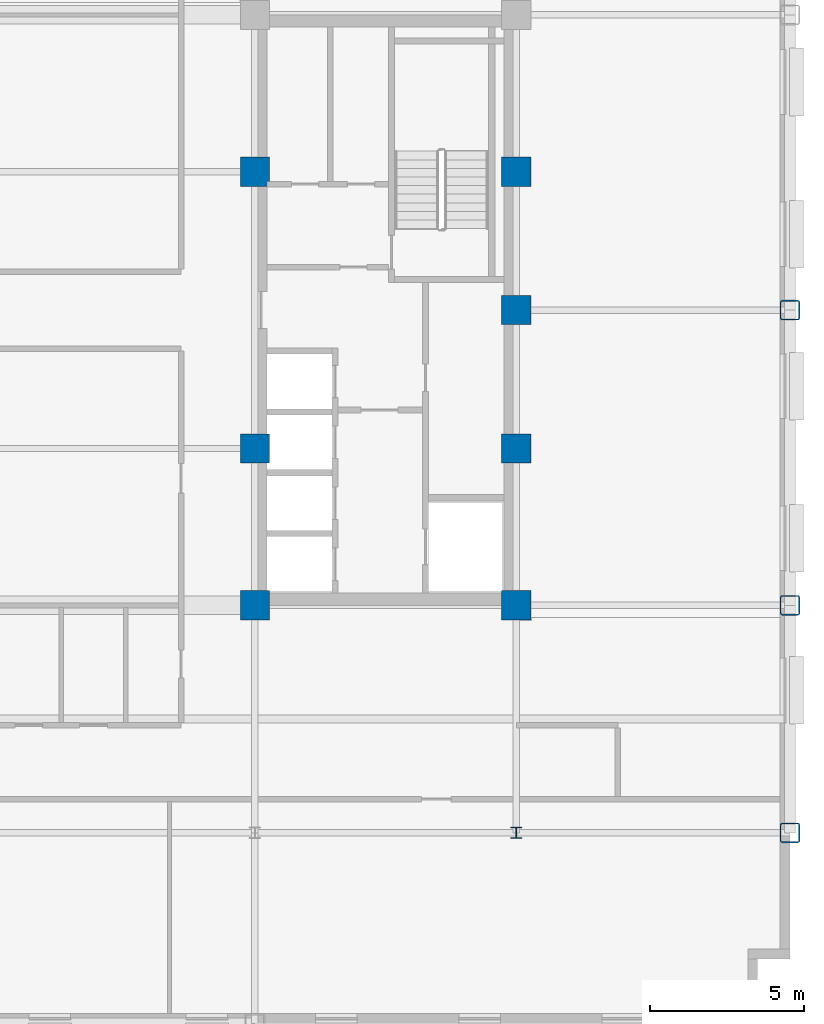
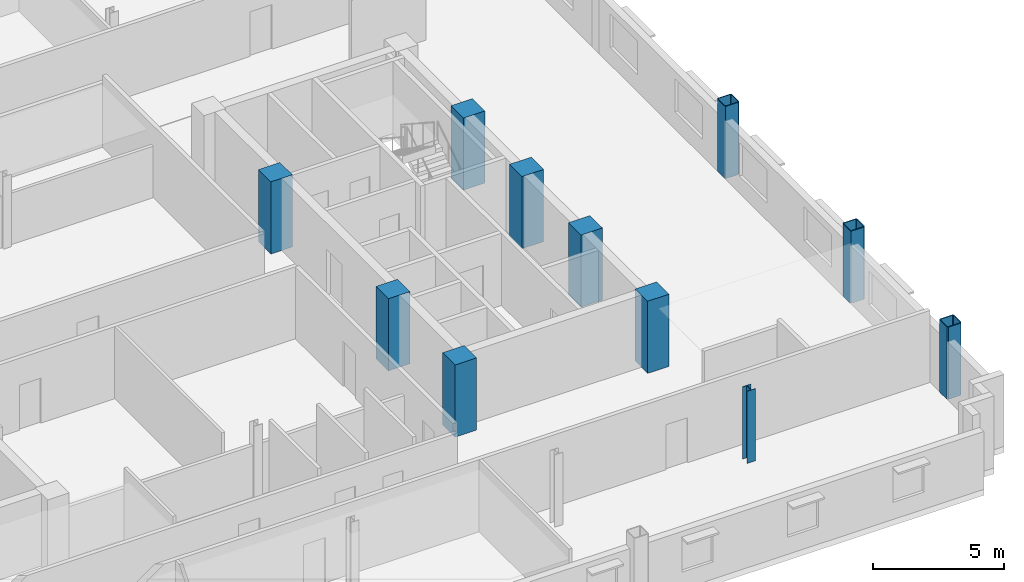
# One storey, part 2 of 13: 11 columns.
"""IFC4 building model written with IfcOpenShell, lengths in metres."""

from ifc_helpers import new_model, si_unit, direction, frame, origin, origin_2d, place, context, subcontext, project, spatial, rectangle, hollow_rectangle, i_section, extrude, material, material_profile, profile_set, type_object, element, save


model = new_model("IFC4")

# Units and contexts
model_context = context("Model", 3, precision=1e-05, world=origin(), true_north=direction((0.0, 1.0)))
body_context = subcontext(model_context, "Body", "Model", "MODEL_VIEW")
ifc_project = project(units=[si_unit("LENGTHUNIT", "METRE"), si_unit("AREAUNIT", "SQUARE_METRE"), si_unit("VOLUMEUNIT", "CUBIC_METRE"), si_unit("PLANEANGLEUNIT", "RADIAN"), si_unit("MASSUNIT", "GRAM", prefix="KILO")], contexts=[model_context])

# Site, building, storey
site_placement = place(None, origin())
site = spatial("IfcSite", under=ifc_project, at=site_placement, CompositionType="ELEMENT")
building_placement = place(site_placement, origin())
building = spatial("IfcBuilding", under=site, at=building_placement, Name="Nuvemarco Arch Tower", CompositionType="ELEMENT")
storey_placement = place(building_placement, frame((0.0, 0.0, 156.699951171875)))
storey = spatial("IfcBuildingStorey", under=building, at=storey_placement, Name="L41", CompositionType="ELEMENT", Elevation=156.699951171875)

# Columns
ifc_material_1 = material(Name="Concrete C50/60", Category="concrete")
ifc_material_profile_1 = material_profile(ifc_material_1, rectangle(XDim=0.949951171875, YDim=0.949951171875, at=origin_2d()), Name="RC-COL-950x950")
ifc_profile_set_1 = profile_set([ifc_material_profile_1], Name="Concrete C50/60")
column_type_1 = type_object("IfcColumnType", Name="COL-CORE-950", PredefinedType="COLUMN", material=ifc_profile_set_1)
for number, where, z_axis, x_axis, name in (
    (1, (9.0, -9.60009765625, 0.0), (0.0, 0.0, 1.0), (1.0, 0.0, 0.0), "L41 column CC_+9.0_-9.6"),
    (2, (9.0, -4.5, 0.0), (0.0, 0.0, 1.0), (1.0, 0.0, 0.0), "L41 column CC_+9.0_-4.5"),
    (3, (9.0, 4.5, 0.0), (0.0, 0.0, 1.0), (1.0, 0.0, 0.0), "L41 column CC_+9.0_+4.5"),
    (4, (17.5, -9.60009765625, 0.0), (0.0, 0.0, 1.0), (1.0, 0.0, 0.0), "L41 column CC_+17.5_-9.6"),
    (5, (17.5, -4.5, 0.0), (0.0, 0.0, 1.0), (1.0, 0.0, 0.0), "L41 column CC_+17.5_-4.5"),
    (6, (17.5, 4.5, 0.0), (0.0, 0.0, 1.0), (1.0, 0.0, 0.0), "L41 column CC_+17.5_+4.5"),
    (7, (17.5, 0.0, 0.0), (0.0, 0.0, 1.0), (1.0, 0.0, 0.0), "L41 column CC_+17.5_+0.0"),
):
    element("IfcColumn", number, at=place(storey_placement, frame(where, z_axis=z_axis, x_axis=x_axis)), inside=storey, type_object=column_type_1, Name=name, PredefinedType="COLUMN", context=body_context, shape_type="SweptSolid", body=[
        extrude(rectangle(XDim=0.949951171875, YDim=0.949951171875, at=origin_2d()), origin(), (0.0, 0.0, 1.0), 3.3701171875),
    ])
ifc_material_2 = material(Name="Steel S355", Category="steel")
ifc_material_profile_2 = material_profile(ifc_material_2, hollow_rectangle(XDim=0.64990234375, YDim=0.64990234375, WallThickness=0.0400390625, InnerFilletRadius=0.0400390625, OuterFilletRadius=0.080078125, at=origin_2d()), Name="SHS650x650x40")
ifc_profile_set_2 = profile_set([ifc_material_profile_2], Name="Steel S355")
column_type_2 = type_object("IfcColumnType", Name="COL-EXO-650", PredefinedType="COLUMN", material=ifc_profile_set_2)
for number, where, z_axis, x_axis, name in (
    (8, (26.39990234375, -17.0, 0.0), (0.0, 0.0, 1.0), (1.0, 0.0, 0.0), "L41 column CX_+26.4_-17.0"),
    (9, (26.39990234375, -9.60009765625, 0.0), (0.0, 0.0, 1.0), (1.0, 0.0, 0.0), "L41 column CX_+26.4_-9.6"),
    (10, (26.39990234375, 0.0, 0.0), (0.0, 0.0, 1.0), (1.0, 0.0, 0.0), "L41 column CX_+26.4_+0.0"),
):
    element("IfcColumn", number, at=place(storey_placement, frame(where, z_axis=z_axis, x_axis=x_axis)), inside=storey, type_object=column_type_2, Name=name, PredefinedType="COLUMN", context=body_context, shape_type="SweptSolid", body=[
        extrude(hollow_rectangle(XDim=0.64990234375, YDim=0.64990234375, WallThickness=0.0400390625, InnerFilletRadius=0.0400390625, OuterFilletRadius=0.080078125, at=origin_2d()), origin(), (0.0, 0.0, 1.0), 3.3701171875),
    ])
ifc_material_profile_3 = material_profile(ifc_material_2, i_section(OverallWidth=0.360107421875, OverallDepth=0.360107421875, WebThickness=0.0205078125, FlangeThickness=0.0205078125, FilletRadius=0.01806640625, at=origin_2d()), Name="HP360x174")
ifc_profile_set_3 = profile_set([ifc_material_profile_3], Name="Steel S355")
column_type_3 = type_object("IfcColumnType", Name="COL-STL-HP360", PredefinedType="COLUMN", material=ifc_profile_set_3)
column_placement = place(storey_placement, frame((17.5, -17.0, 0.0), z_axis=(0.0, 0.0, 1.0), x_axis=(1.0, 0.0, 0.0)))
element("IfcColumn", 11, at=column_placement, inside=storey, type_object=column_type_3, Name="L41 column CI_+17.5_-17.0", PredefinedType="COLUMN", context=body_context, shape_type="SweptSolid", body=[
    extrude(i_section(OverallWidth=0.360107421875, OverallDepth=0.360107421875, WebThickness=0.0205078125, FlangeThickness=0.0205078125, FilletRadius=0.01806640625, at=origin_2d()), origin(), (0.0, 0.0, 1.0), 3.3701171875),
])

save(model, "model.ifc")
